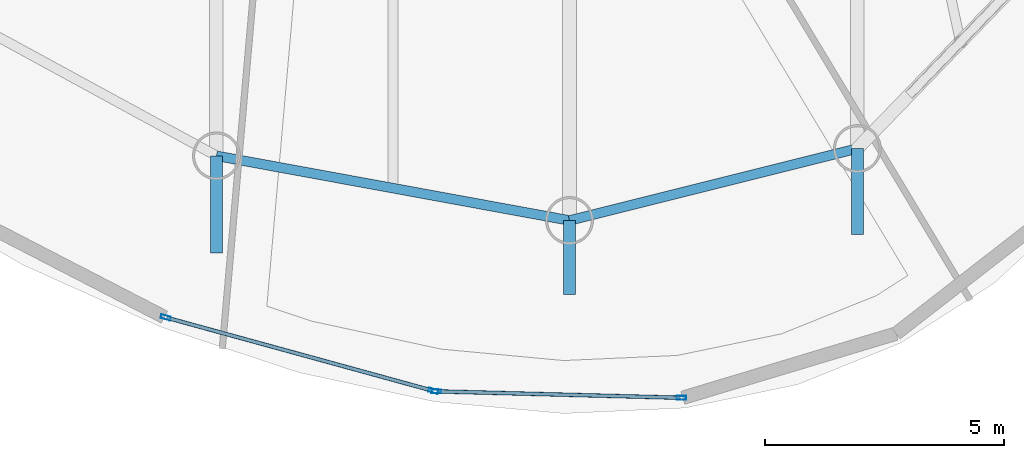
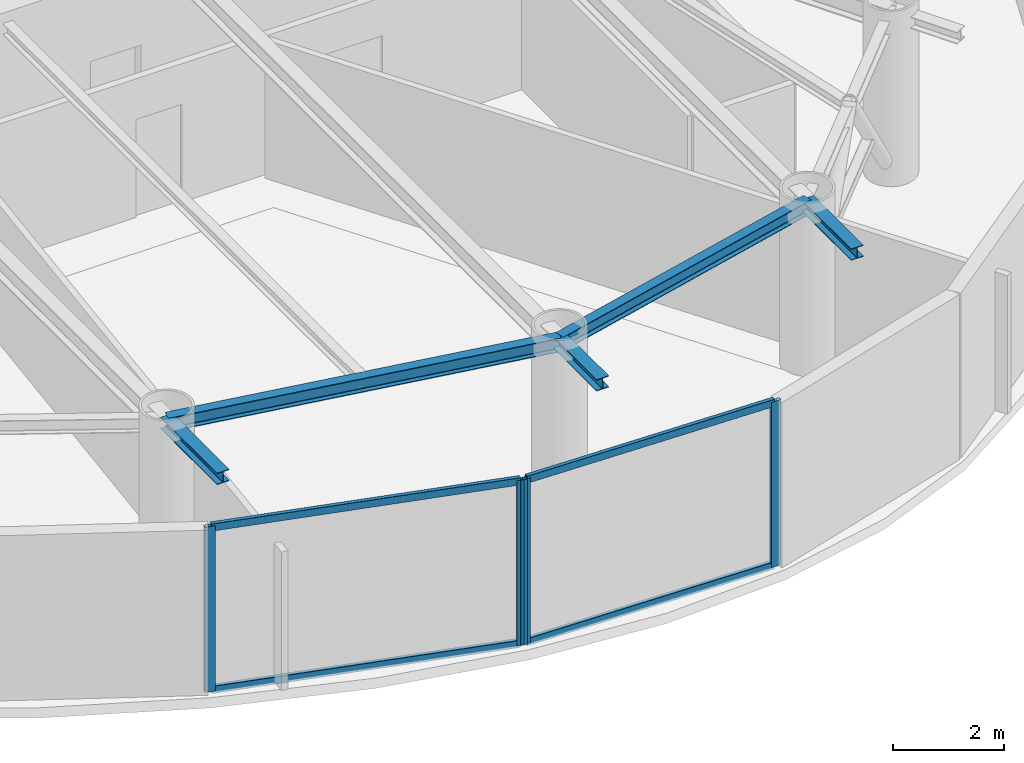
# One storey, part 2 of 20: 8 members, 5 beams, 2 elements without a shape of their own.
"""IFC4 building model written with IfcOpenShell, lengths in metres."""

from ifc_helpers import new_model, si_unit, direction, frame, origin, origin_2d, place, context, subcontext, project, spatial, hollow_rectangle, i_section, extrude, material, layer, layer_set, material_profile, profile_set, type_object, element, aggregate, save


model = new_model("IFC4")

# Units and contexts
model_context = context("Model", 3, precision=1e-05, world=origin(), true_north=direction((0.0, 1.0)))
body_context = subcontext(model_context, "Body", "Model", "MODEL_VIEW")
ifc_project = project(units=[si_unit("LENGTHUNIT", "METRE"), si_unit("AREAUNIT", "SQUARE_METRE"), si_unit("VOLUMEUNIT", "CUBIC_METRE"), si_unit("PLANEANGLEUNIT", "RADIAN"), si_unit("MASSUNIT", "GRAM", prefix="KILO")], contexts=[model_context])

# Site, building, storey
site_placement = place(None, origin())
site = spatial("IfcSite", under=ifc_project, at=site_placement, CompositionType="ELEMENT")
building_placement = place(site_placement, origin())
building = spatial("IfcBuilding", under=site, at=building_placement, Name="Bramvorn Convention Spire", CompositionType="ELEMENT")
storey_placement = place(building_placement, frame((0.0, 0.0, 284.39990234375)))
storey = spatial("IfcBuildingStorey", under=building, at=storey_placement, Name="L72", CompositionType="ELEMENT", Elevation=284.39990234375)

# Beams
ifc_material_1 = material(Name="Steel CSA G40.21 Grade 350 (350W)", Category="steel")
ifc_material_profile_1 = material_profile(ifc_material_1, i_section(OverallWidth=0.25390625, OverallDepth=0.2529296875, WebThickness=0.008544921875, FlangeThickness=0.01416015625, FilletRadius=0.011962890625, at=origin_2d()))
ifc_profile_set_1 = profile_set([ifc_material_profile_1], Name="Steel CSA G40.21 Grade 350 (350W) - W250X73")
beam_type_1 = type_object("IfcBeamType", Name="BM-W250X73", PredefinedType="BEAM", material=ifc_profile_set_1)
beam_1_placement = place(storey_placement, frame((49.199951171875, 6.60107421875, 3.49853515625), z_axis=(0.0, -1.0, 0.0), x_axis=(1.0, 0.0, 0.0)))
element("IfcBeam", 1, at=beam_1_placement, inside=storey, type_object=beam_type_1, Name="L72 slab-edge cantilever tip beam MC01", PredefinedType="BEAM", context=body_context, shape_type="SweptSolid", body=[
    extrude(i_section(OverallWidth=0.25390625, OverallDepth=0.2529296875, WebThickness=0.008544921875, FlangeThickness=0.01416015625, FilletRadius=0.011962890625, at=origin_2d()), origin(), (0.0, 0.0, 1.0), 1.7939453125),
])
beam_2_placement = place(storey_placement, frame((35.8154296875, 6.44921875, 3.49853515625), z_axis=(0.0, -1.0, 0.0), x_axis=(1.0, 0.0, 0.0)))
element("IfcBeam", 2, at=beam_2_placement, inside=storey, type_object=beam_type_1, Name="L72 slab-edge cantilever tip beam MC15", PredefinedType="BEAM", context=body_context, shape_type="SweptSolid", body=[
    extrude(i_section(OverallWidth=0.25390625, OverallDepth=0.2529296875, WebThickness=0.008544921875, FlangeThickness=0.01416015625, FilletRadius=0.011962890625, at=origin_2d()), origin(), (0.0, 0.0, 1.0), 2.0283203125),
])
beam_3_placement = place(storey_placement, frame((43.1884765625, 5.09912109375, 3.49853515625), z_axis=(0.0, -1.0, 0.0), x_axis=(1.0, 0.0, 0.0)))
element("IfcBeam", 3, at=beam_3_placement, inside=storey, type_object=beam_type_1, Name="L72 slab-edge cantilever tip beam MC16", PredefinedType="BEAM", context=body_context, shape_type="SweptSolid", body=[
    extrude(i_section(OverallWidth=0.25390625, OverallDepth=0.2529296875, WebThickness=0.008544921875, FlangeThickness=0.01416015625, FilletRadius=0.011962890625, at=origin_2d()), origin(), (0.0, 0.0, 1.0), 1.548583984375),
])
ifc_material_profile_2 = material_profile(ifc_material_1, i_section(OverallWidth=0.202880859375, OverallDepth=0.302978515625, WebThickness=0.007568359375, FlangeThickness=0.01318359375, FilletRadius=0.013916015625, at=origin_2d()))
ifc_profile_set_2 = profile_set([ifc_material_profile_2], Name="Steel CSA G40.21 Grade 350 (350W) - W310X60")
beam_type_2 = type_object("IfcBeamType", Name="BM-W310X60", PredefinedType="JOIST", material=ifc_profile_set_2)
beam_4_placement = place(storey_placement, frame((35.8154296875, 6.44921875, 3.4736328125), z_axis=(0.983645049461, -0.180117785547, 0.0), x_axis=(0.180117785547, 0.983645049461, 0.0)))
element("IfcBeam", 4, at=beam_4_placement, inside=storey, type_object=beam_type_2, Name="L72 mega-column ring beam 15", PredefinedType="JOIST", context=body_context, shape_type="SweptSolid", body=[
    extrude(i_section(OverallWidth=0.202880859375, OverallDepth=0.302978515625, WebThickness=0.007568359375, FlangeThickness=0.01318359375, FilletRadius=0.013916015625, at=origin_2d()), origin(), (0.0, 0.0, 1.0), 7.49560546875),
])
beam_5_placement = place(storey_placement, frame((43.1884765625, 5.09912109375, 3.4736328125), z_axis=(0.970177255997, 0.24239655927, 0.0), x_axis=(-0.24239655927, 0.970177255997, 0.0)))
element("IfcBeam", 5, at=beam_5_placement, inside=storey, type_object=beam_type_2, Name="L72 mega-column ring beam 16", PredefinedType="JOIST", context=body_context, shape_type="SweptSolid", body=[
    extrude(i_section(OverallWidth=0.202880859375, OverallDepth=0.302978515625, WebThickness=0.007568359375, FlangeThickness=0.01318359375, FilletRadius=0.013916015625, at=origin_2d()), origin(), (0.0, 0.0, 1.0), 6.1962890625),
])

# Curtain wall, members
ifc_material_2 = material(Name="Anodised Bronze Unitised Curtain Wall", Category="aluminium")
ifc_layer = layer(ifc_material_2, 0.179931640625)
ifc_layer_set = layer_set([ifc_layer], Name="Anodised Bronze Unitised Curtain Wall - CW-OFF-FRIT")
curtain_wall_type = type_object("IfcCurtainWallType", Name="CW-OFF-FRIT", PredefinedType="USERDEFINED", material=ifc_layer_set)
curtain_wall_1_placement = place(storey_placement, origin())
curtain_wall_1 = element("IfcCurtainWall", 6, at=curtain_wall_1_placement, inside=storey, type_object=curtain_wall_type, Name="L72 fritted glass curtain wall 22", ObjectType="UNITISED CURTAIN WALL", PredefinedType="USERDEFINED")
ifc_material_3 = material(Name="Anodised Bronze Aluminium 6063-T6", Category="aluminium")
ifc_material_profile_3 = material_profile(ifc_material_3, hollow_rectangle(XDim=0.080078125, YDim=0.199951171875, WallThickness=0.00390625, InnerFilletRadius=0.0009765625, OuterFilletRadius=0.00390625, at=origin_2d()))
ifc_profile_set_3 = profile_set([ifc_material_profile_3], Name="Anodised Bronze Aluminium 6063-T6 - CWM80X200")
member_type_1 = type_object("IfcMemberType", Name="CW-MUL-180", PredefinedType="MULLION", material=ifc_profile_set_3)
member_1_placement = place(storey_placement, frame((40.347900390625, 1.539306640625, 0.0), z_axis=(0.0, 0.0, 1.0), x_axis=(-0.264624566837, -0.964351511964, 0.0)))
member_1 = element("IfcMember", 7, at=member_1_placement, type_object=member_type_1, Name="CW3 mullion 1", PredefinedType="MULLION", context=body_context, shape_type="SweptSolid", body=[
    extrude(hollow_rectangle(XDim=0.080078125, YDim=0.199951171875, WallThickness=0.00390625, InnerFilletRadius=0.0009765625, OuterFilletRadius=0.00390625, at=origin_2d()), origin(), (0.0, 0.0, 1.0), 3.625),
])
member_2_placement = place(storey_placement, frame((34.754638671875, 3.07421875, 0.0), z_axis=(0.0, 0.0, 1.0), x_axis=(-0.264624566837, -0.964351511964, 0.0)))
member_2 = element("IfcMember", 8, at=member_2_placement, type_object=member_type_1, Name="CW3 mullion 2", PredefinedType="MULLION", context=body_context, shape_type="SweptSolid", body=[
    extrude(hollow_rectangle(XDim=0.080078125, YDim=0.199951171875, WallThickness=0.00390625, InnerFilletRadius=0.0009765625, OuterFilletRadius=0.00390625, at=origin_2d()), origin(), (0.0, 0.0, 1.0), 3.625),
])

curtain_wall_2_placement = place(storey_placement, origin())
curtain_wall_2 = element("IfcCurtainWall", 9, at=curtain_wall_2_placement, inside=storey, type_object=curtain_wall_type, Name="L72 fritted glass curtain wall 23", ObjectType="UNITISED CURTAIN WALL", PredefinedType="USERDEFINED")
member_3_placement = place(storey_placement, frame((45.5244140625, 1.396240234375, 0.0), z_axis=(0.0, 0.0, 1.0), x_axis=(-0.026258446254, -0.999655187552, 0.0)))
member_3 = element("IfcMember", 10, at=member_3_placement, type_object=member_type_1, Name="CW3 mullion 1", PredefinedType="MULLION", context=body_context, shape_type="SweptSolid", body=[
    extrude(hollow_rectangle(XDim=0.080078125, YDim=0.199951171875, WallThickness=0.00390625, InnerFilletRadius=0.0009765625, OuterFilletRadius=0.00390625, at=origin_2d()), origin(), (0.0, 0.0, 1.0), 3.625),
])
member_4_placement = place(storey_placement, frame((40.40673828125, 1.530517578125, 0.0), z_axis=(0.0, 0.0, 1.0), x_axis=(-0.026258446254, -0.999655187552, 0.0)))
member_4 = element("IfcMember", 11, at=member_4_placement, type_object=member_type_1, Name="CW3 mullion 2", PredefinedType="MULLION", context=body_context, shape_type="SweptSolid", body=[
    extrude(hollow_rectangle(XDim=0.080078125, YDim=0.199951171875, WallThickness=0.00390625, InnerFilletRadius=0.0009765625, OuterFilletRadius=0.00390625, at=origin_2d()), origin(), (0.0, 0.0, 1.0), 3.625),
])

# Member
ifc_material_profile_4 = material_profile(ifc_material_3, hollow_rectangle(XDim=0.080078125, YDim=0.159912109375, WallThickness=0.00390625, InnerFilletRadius=0.0009765625, OuterFilletRadius=0.00390625, at=origin_2d()))
ifc_profile_set_4 = profile_set([ifc_material_profile_4], Name="Anodised Bronze Aluminium 6063-T6 - CWT80X160")
member_type_2 = type_object("IfcMemberType", Name="CW-TRN-150", PredefinedType="USERDEFINED", material=ifc_profile_set_4)
member_5_placement = place(storey_placement, frame((40.31884765625, 1.54736328125, 0.030029296875), z_axis=(-0.964358287917, 0.264599872497, 0.0), x_axis=(-0.264599872497, -0.964358287917, 0.0)))
member_5 = element("IfcMember", 12, at=member_5_placement, type_object=member_type_2, Name="CW3 transom 1.1", ObjectType="TRANSOM", PredefinedType="USERDEFINED", context=body_context, shape_type="SweptSolid", body=[
    extrude(hollow_rectangle(XDim=0.080078125, YDim=0.159912109375, WallThickness=0.00390625, InnerFilletRadius=0.0009765625, OuterFilletRadius=0.00390625, at=origin_2d()), origin(), (0.0, 0.0, 1.0), 5.739990234375),
])

member_6_placement = place(storey_placement, frame((40.31884765625, 1.54736328125, 3.59521484375), z_axis=(-0.964358287917, 0.264599872497, 0.0), x_axis=(-0.264599872497, -0.964358287917, 0.0)))
member_6 = element("IfcMember", 13, at=member_6_placement, type_object=member_type_2, Name="CW3 transom 1.2", ObjectType="TRANSOM", PredefinedType="USERDEFINED", context=body_context, shape_type="SweptSolid", body=[
    extrude(hollow_rectangle(XDim=0.080078125, YDim=0.159912109375, WallThickness=0.00390625, InnerFilletRadius=0.0009765625, OuterFilletRadius=0.00390625, at=origin_2d()), origin(), (0.0, 0.0, 1.0), 5.739990234375),
])

aggregate(curtain_wall_1, [member_1, member_2, member_5, member_6])

member_7_placement = place(storey_placement, frame((45.494384765625, 1.39697265625, 0.030029296875), z_axis=(-0.999655387157, 0.026250846235, 0.0), x_axis=(-0.026250846235, -0.999655387157, 0.0)))
member_7 = element("IfcMember", 14, at=member_7_placement, type_object=member_type_2, Name="CW3 transom 1.1", ObjectType="TRANSOM", PredefinedType="USERDEFINED", context=body_context, shape_type="SweptSolid", body=[
    extrude(hollow_rectangle(XDim=0.080078125, YDim=0.159912109375, WallThickness=0.00390625, InnerFilletRadius=0.0009765625, OuterFilletRadius=0.00390625, at=origin_2d()), origin(), (0.0, 0.0, 1.0), 5.059326171875),
])

member_8_placement = place(storey_placement, frame((45.494384765625, 1.39697265625, 3.59521484375), z_axis=(-0.999655387157, 0.026250846235, 0.0), x_axis=(-0.026250846235, -0.999655387157, 0.0)))
member_8 = element("IfcMember", 15, at=member_8_placement, type_object=member_type_2, Name="CW3 transom 1.2", ObjectType="TRANSOM", PredefinedType="USERDEFINED", context=body_context, shape_type="SweptSolid", body=[
    extrude(hollow_rectangle(XDim=0.080078125, YDim=0.159912109375, WallThickness=0.00390625, InnerFilletRadius=0.0009765625, OuterFilletRadius=0.00390625, at=origin_2d()), origin(), (0.0, 0.0, 1.0), 5.059326171875),
])

aggregate(curtain_wall_2, [member_3, member_4, member_7, member_8])

save(model, "model.ifc")
